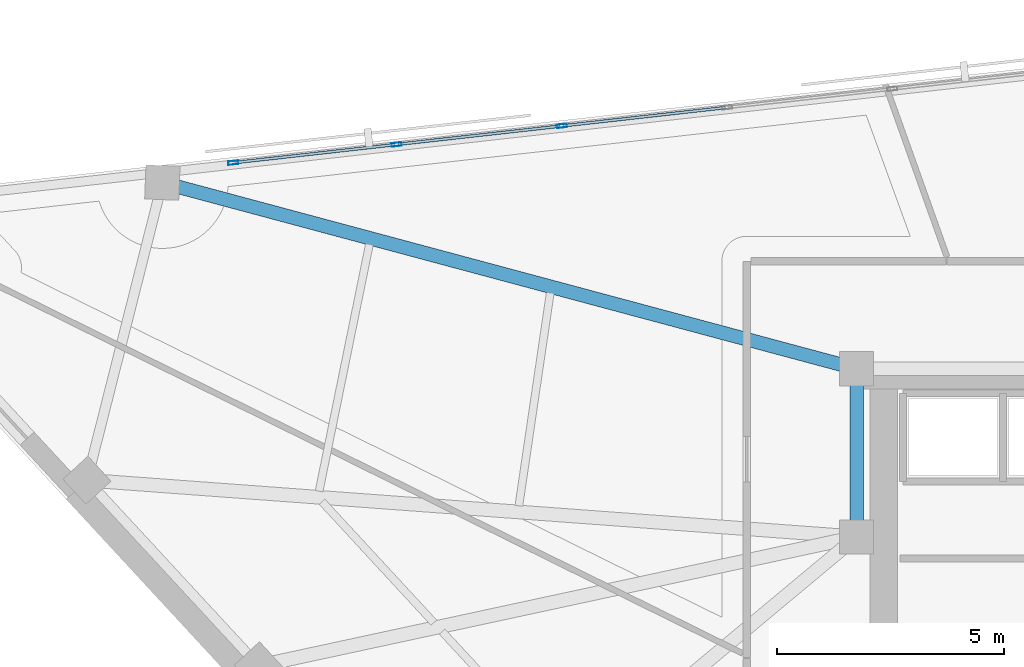
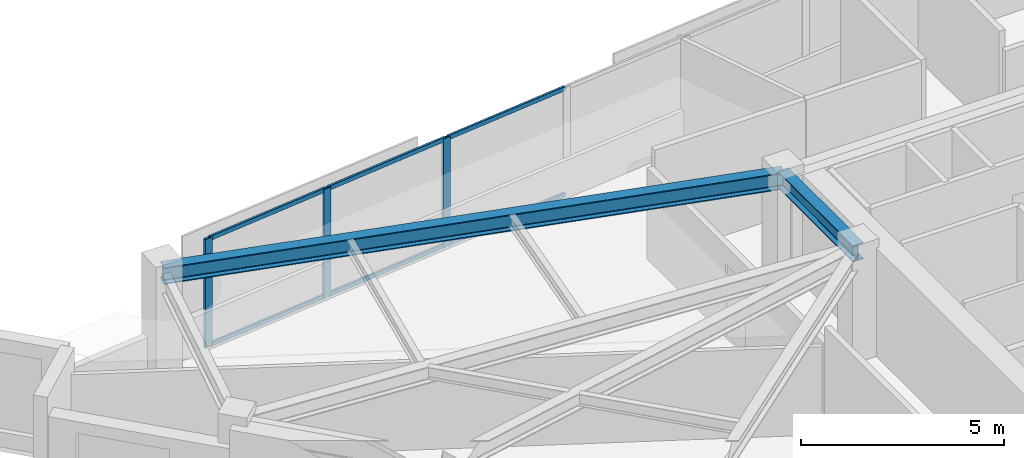
# One storey, part 2 of 12: 9 members, 2 beams, 1 element without a shape of its own.
"""IFC4 building model written with IfcOpenShell, lengths in metres."""

import ifcopenshell
import ifcopenshell.guid

model = None  # the IFC model being written
_history = None  # IfcOwnerHistory: only IFC2X3 demands one
_inside = {}  # id of a spatial element -> (the spatial element, [elements in it])
_under = {}  # id of a project, library or spatial element -> (it, [spatial elements below it])
_declared = {}  # id of a project -> (the project, [libraries it declares])
_typed = {}  # id of a type object -> (the type object, [elements of that type])
_made_of = {}  # id of a material, layer set ... -> (it, [elements and type objects made of it])


def new_model(schema):
    """Start an empty IFC model of exactly this schema.

    Asked for "IFC4X3", IfcOpenShell would pick the latest addendum, in which some entities
    have other attributes; the version numbers below select the first issue.
    IFC2X3 requires an IfcOwnerHistory on every rooted entity: one is made here for all.
    """
    global model, _history
    if schema == "IFC4X3":
        model = ifcopenshell.file(schema_version=(4, 3, 0, 0))
    else:
        model = ifcopenshell.file(schema=schema)
    _inside.clear()
    _under.clear()
    _declared.clear()
    _typed.clear()
    _made_of.clear()
    _history = None
    if model.schema == "IFC2X3":
        org = make("IfcOrganization", Name="unknown")
        user = make(
            "IfcPersonAndOrganization",
            ThePerson=make("IfcPerson", FamilyName="unknown"),
            TheOrganization=org,
        )
        app = make(
            "IfcApplication",
            ApplicationDeveloper=org,
            Version="unknown",
            ApplicationFullName="unknown",
            ApplicationIdentifier="unknown",
        )
        _history = make(
            "IfcOwnerHistory",
            OwningUser=user,
            OwningApplication=app,
            ChangeAction="ADDED",
            CreationDate=0,
        )
    return model


def make(cls, **values):
    """One entity of the class cls with the attributes given. An attribute that is None is left unset."""
    return model.create_entity(
        cls, **{name: value for name, value in values.items() if value is not None}
    )


def rooted(cls, **values):
    """An entity with a GlobalId (a new one), such as an element, a storey or a relation."""
    return make(cls, GlobalId=ifcopenshell.guid.new(), OwnerHistory=_history, **values)


def si_unit(unit_type, name, prefix=None):
    """IfcSIUnit, for example si_unit("LENGTHUNIT", "METRE", prefix="MILLI")."""
    return make("IfcSIUnit", UnitType=unit_type, Prefix=prefix, Name=name)


def assignment(units):
    """IfcUnitAssignment: the units of a project."""
    return None if units is None else make("IfcUnitAssignment", Units=units)


def point(xyz):
    """IfcCartesianPoint."""
    return None if xyz is None else make("IfcCartesianPoint", Coordinates=xyz)


def direction(xyz):
    """IfcDirection."""
    return None if xyz is None else make("IfcDirection", DirectionRatios=xyz)


def frame(location, z_axis=None, x_axis=None):
    """IfcAxis2Placement3D, a coordinate frame: its origin and axes. An axis left out is left unset."""
    return make(
        "IfcAxis2Placement3D",
        Location=point(location),
        Axis=direction(z_axis),
        RefDirection=direction(x_axis),
    )


def frame_2d(location, x_axis=None):
    """IfcAxis2Placement2D, a coordinate frame in the plane: its origin and x axis."""
    return make(
        "IfcAxis2Placement2D", Location=point(location), RefDirection=direction(x_axis)
    )


def origin():
    """The frame at (0, 0, 0) with its axes left unset."""
    return frame((0.0, 0.0, 0.0))


def origin_2d():
    """The frame at (0, 0) in the plane with its x axis left unset."""
    return frame_2d((0.0, 0.0))


def place(relative_to, where):
    """IfcLocalPlacement: puts the frame where relative to a parent placement (None: the world)."""
    return make(
        "IfcLocalPlacement", PlacementRelTo=relative_to, RelativePlacement=where
    )


def context(
    kind, dimensions, precision=None, world=None, true_north=None, identifier=None
):
    """IfcGeometricRepresentationContext, for example the 3D "Model" context."""
    return make(
        "IfcGeometricRepresentationContext",
        ContextIdentifier=identifier,
        ContextType=kind,
        CoordinateSpaceDimension=dimensions,
        Precision=precision,
        WorldCoordinateSystem=world,
        TrueNorth=true_north,
    )


def subcontext(parent, identifier, kind, view, scale=None):
    """IfcGeometricRepresentationSubContext, for example "Body" below "Model"."""
    return make(
        "IfcGeometricRepresentationSubContext",
        ContextIdentifier=identifier,
        ContextType=kind,
        ParentContext=parent,
        TargetScale=scale,
        TargetView=view,
    )


def project(units=None, contexts=None):
    """IfcProject with its units and contexts."""
    return rooted(
        "IfcProject",
        Name="project",
        RepresentationContexts=contexts,
        UnitsInContext=assignment(units),
    )


def spatial(cls, under=None, at=None, **own):
    """A site, building, storey or space (cls), placed at a placement, below another one or the project."""
    s = rooted(cls, ObjectPlacement=at, **own)
    if under is not None:
        _under.setdefault(under.id(), (under, []))[1].append(s)
    return s


def profile(cls, at=None, kind="AREA", **sizes):
    """A parametric profile (cls). Its sizes go by their IFC names, for example OverallWidth=200.0."""
    return make(cls, ProfileType=kind, Position=at, **sizes)


def hollow_rectangle(**sizes):
    """IfcRectangleHollowProfileDef."""
    return profile("IfcRectangleHollowProfileDef", **sizes)


def i_section(**sizes):
    """IfcIShapeProfileDef."""
    return profile("IfcIShapeProfileDef", **sizes)


def extrude(swept, where, along, depth):
    """IfcExtrudedAreaSolid: the profile swept, set in the frame where, extruded along a direction by depth."""
    return make(
        "IfcExtrudedAreaSolid",
        SweptArea=swept,
        Position=where,
        ExtrudedDirection=direction(along),
        Depth=depth,
    )


def shape(context_of_items, identifier, shape_type, items):
    """IfcShapeRepresentation: the items that make up one representation, for example the "Body"."""
    return make(
        "IfcShapeRepresentation",
        ContextOfItems=context_of_items,
        RepresentationIdentifier=identifier,
        RepresentationType=shape_type,
        Items=items,
    )


def material(Name=None, Category=None):
    """IfcMaterial."""
    return make("IfcMaterial", Name=Name, Category=Category)


def material_profile(
    of_material, cross_section, Name=None, Category=None, Priority=None
):
    """IfcMaterialProfile: a cross section and its material."""
    return make(
        "IfcMaterialProfile",
        Name=Name,
        Material=of_material,
        Profile=cross_section,
        Priority=Priority,
        Category=Category,
    )


def profile_set(profiles, Name=None, composite=None):
    """IfcMaterialProfileSet."""
    return make(
        "IfcMaterialProfileSet",
        Name=Name,
        MaterialProfiles=profiles,
        CompositeProfile=composite,
    )


def made_of(thing, what):
    """Note that an element or type object is made of a material, layer set ...; save() writes the relation."""
    if what is not None:
        _made_of.setdefault(what.id(), (what, []))[1].append(thing)
    return thing


def type_object(cls, material=None, **own):
    """A type object (cls), such as IfcWallType, which elements share."""
    return made_of(rooted(cls, **own), material)


def element(
    cls,
    number,
    at=None,
    inside=None,
    cuts=None,
    type_object=None,
    material=None,
    context=None,
    identifier="Body",
    shape_type=None,
    held_by="IfcProductDefinitionShape",
    body=None,
    shapes=None,
    **own,
):
    """One element of the class cls, such as IfcWall. Its Tag is "e" and its number.

    at: its placement. inside: the storey or other place that contains it. cuts: it is an
    opening in that element (IfcRelVoidsElement). A single representation is given by context,
    identifier, shape_type and body (its items); several are given by shapes. held_by: the class
    of the entity that holds the representations. save() writes the other relations.
    """
    e = rooted(cls, Tag="e%d" % number, ObjectPlacement=at, **own)
    if body is not None:
        shapes = [shape(context, identifier, shape_type, body)]
    if shapes is not None:
        e.Representation = make(held_by, Representations=shapes)
    if inside is not None:
        _inside.setdefault(inside.id(), (inside, []))[1].append(e)
    if cuts is not None:
        rooted(
            "IfcRelVoidsElement", RelatingBuildingElement=cuts, RelatedOpeningElement=e
        )
    if type_object is not None:
        _typed.setdefault(type_object.id(), (type_object, []))[1].append(e)
    return made_of(e, material)


def aggregate(whole, parts):
    """IfcRelAggregates: a whole, such as a stair, and the parts it consists of."""
    return rooted("IfcRelAggregates", RelatingObject=whole, RelatedObjects=parts)


def save(model, path):
    """Write the relations noted so far, then the file.

    IfcRelAggregates (storeys below a building ...), IfcRelContainedInSpatialStructure (elements
    in a storey), IfcRelDefinesByType, IfcRelAssociatesMaterial and IfcRelDeclares: one each for
    every whole, place, type object, material and project.
    """
    for whole, parts in _under.values():
        aggregate(whole, parts)
    for where, things in _inside.values():
        rooted(
            "IfcRelContainedInSpatialStructure",
            RelatedElements=things,
            RelatingStructure=where,
        )
    for kind, things in _typed.values():
        rooted("IfcRelDefinesByType", RelatedObjects=things, RelatingType=kind)
    for what, things in _made_of.values():
        rooted("IfcRelAssociatesMaterial", RelatedObjects=things, RelatingMaterial=what)
    for by, libraries in _declared.values():
        rooted("IfcRelDeclares", RelatingContext=by, RelatedDefinitions=libraries)
    model.write(path)


model = new_model("IFC4")

# Units and contexts
model_context = context("Model", 3, precision=1e-05, world=origin(), true_north=direction((0.0, 1.0)))
body_context = subcontext(model_context, "Body", "Model", "MODEL_VIEW")
ifc_project = project(units=[si_unit("LENGTHUNIT", "METRE"), si_unit("AREAUNIT", "SQUARE_METRE"), si_unit("VOLUMEUNIT", "CUBIC_METRE"), si_unit("PLANEANGLEUNIT", "RADIAN"), si_unit("MASSUNIT", "GRAM", prefix="KILO")], contexts=[model_context])

# Site, building, storey
site_placement = place(None, origin())
site = spatial("IfcSite", under=ifc_project, at=site_placement, CompositionType="ELEMENT")
building_placement = place(site_placement, origin())
building = spatial("IfcBuilding", under=site, at=building_placement, Name="Narakoshi Arena Tower", CompositionType="ELEMENT")
storey_placement = place(building_placement, frame((0.0, 0.0, 267.780029296875)))
storey = spatial("IfcBuildingStorey", under=building, at=storey_placement, Name="L73", CompositionType="ELEMENT", Elevation=267.780029296875)

# Beams
ifc_material_1 = material(Name="Structural steel S355J2", Category="steel")
ifc_material_profile_1 = material_profile(ifc_material_1, i_section(OverallWidth=0.300048828125, OverallDepth=0.5, WebThickness=0.014404296875, FlangeThickness=0.028076171875, FilletRadius=0.027099609375, at=origin_2d()), Name="HE500B")
ifc_profile_set_1 = profile_set([ifc_material_profile_1], Name="Structural steel S355J2")
beam_type = type_object("IfcBeamType", Name="BM-PRI-500", PredefinedType="BEAM", material=ifc_profile_set_1)
beam_1_placement = place(storey_placement, frame((72.0, 56.5, 3.010009765625), z_axis=(-0.965877018817, 0.259001128418, 0.0), x_axis=(-0.259001128418, -0.965877018817, 0.0)))
element("IfcBeam", 1, at=beam_1_placement, inside=storey, type_object=beam_type, Name="L73 Radial Primary Floor Girder 08", PredefinedType="BEAM", context=body_context, shape_type="SweptSolid", body=[
    extrude(i_section(OverallWidth=0.300048828125, OverallDepth=0.5, WebThickness=0.014404296875, FlangeThickness=0.028076171875, FilletRadius=0.027099609375, at=origin_2d()), origin(), (0.0, 0.0, 1.0), 15.822998046875),
])
beam_2_placement = place(storey_placement, frame((72.0, 52.800048828125, 3.010009765625), z_axis=(0.0, 1.0, 0.0), x_axis=(-1.0, 0.0, 0.0)))
element("IfcBeam", 2, at=beam_2_placement, inside=storey, type_object=beam_type, Name="L73 Core Perimeter Frame Beam CC4-CC5", PredefinedType="BEAM", context=body_context, shape_type="SweptSolid", body=[
    extrude(i_section(OverallWidth=0.300048828125, OverallDepth=0.5, WebThickness=0.014404296875, FlangeThickness=0.028076171875, FilletRadius=0.027099609375, at=origin_2d()), origin(), (0.0, 0.0, 1.0), 3.699951171875),
])

# Curtain wall, members
ifc_material_2 = material(Name="Anodised bronze aluminium 6063-T6", Category="aluminium")
curtain_wall_type = type_object("IfcCurtainWallType", Name="CW-HYP-HIGH", PredefinedType="NOTDEFINED", material=ifc_material_2)
curtain_wall_placement = place(storey_placement, origin())
curtain_wall = element("IfcCurtainWall", 3, at=curtain_wall_placement, inside=storey, type_object=curtain_wall_type, Name="L73 Folded Hypotenuse Curtain Wall 2-1", PredefinedType="NOTDEFINED")
ifc_material_profile_2 = material_profile(ifc_material_2, hollow_rectangle(XDim=0.080078125, YDim=0.219970703125, WallThickness=0.0048828125, OuterFilletRadius=0.006103515625, at=origin_2d()), Name="MUL220x80x5")
ifc_profile_set_2 = profile_set([ifc_material_profile_2], Name="Anodised bronze aluminium 6063-T6")
member_type_1 = type_object("IfcMemberType", Name="MEM-MUL-220", PredefinedType="MULLION", material=ifc_profile_set_2)
member_1_placement = place(storey_placement, frame((65.51123046875, 61.845458984375, 0.0), z_axis=(0.0, 0.0, 1.0), x_axis=(0.111396496086, -0.9937760415, 0.0)))
member_1 = element("IfcMember", 4, at=member_1_placement, type_object=member_type_1, Name="CW-03 mullion 5", PredefinedType="MULLION", context=body_context, shape_type="SweptSolid", body=[
    extrude(hollow_rectangle(XDim=0.080078125, YDim=0.219970703125, WallThickness=0.0048828125, OuterFilletRadius=0.006103515625, at=origin_2d()), origin(), (0.0, 0.0, 1.0), 3.260009765625),
])
member_2_placement = place(storey_placement, frame((61.873779296875, 61.437744140625, 0.0), z_axis=(0.0, 0.0, 1.0), x_axis=(0.111396496086, -0.9937760415, 0.0)))
member_2 = element("IfcMember", 5, at=member_2_placement, type_object=member_type_1, Name="CW-03 mullion 6", PredefinedType="MULLION", context=body_context, shape_type="SweptSolid", body=[
    extrude(hollow_rectangle(XDim=0.080078125, YDim=0.219970703125, WallThickness=0.0048828125, OuterFilletRadius=0.006103515625, at=origin_2d()), origin(), (0.0, 0.0, 1.0), 3.260009765625),
])
member_3_placement = place(storey_placement, frame((58.27587890625, 61.034423828125, 0.0), z_axis=(0.0, 0.0, 1.0), x_axis=(0.111396496086, -0.9937760415, 0.0)))
member_3 = element("IfcMember", 6, at=member_3_placement, type_object=member_type_1, Name="CW-03 mullion 7", PredefinedType="MULLION", context=body_context, shape_type="SweptSolid", body=[
    extrude(hollow_rectangle(XDim=0.080078125, YDim=0.219970703125, WallThickness=0.0048828125, OuterFilletRadius=0.006103515625, at=origin_2d()), origin(), (0.0, 0.0, 1.0), 3.260009765625),
])
ifc_material_profile_3 = material_profile(ifc_material_2, hollow_rectangle(XDim=0.06494140625, YDim=0.1298828125, WallThickness=0.00390625, OuterFilletRadius=0.0048828125, at=origin_2d()), Name="TRN130x65x4")
ifc_profile_set_3 = profile_set([ifc_material_profile_3], Name="Anodised bronze aluminium 6063-T6")
member_type_2 = type_object("IfcMemberType", Name="MEM-TRN-130", PredefinedType="USERDEFINED", material=ifc_profile_set_3)
member_4_placement = place(storey_placement, frame((69.109130859375, 62.248779296875, 0.032470703125), z_axis=(-0.99377347748, -0.111419367518, 0.0), x_axis=(0.111419367518, -0.99377347748, 0.0)))
member_4 = element("IfcMember", 7, at=member_4_placement, type_object=member_type_2, Name="CW-03 transom 4.1", ObjectType="TRANSOM", PredefinedType="USERDEFINED", context=body_context, shape_type="SweptSolid", body=[
    extrude(hollow_rectangle(XDim=0.06494140625, YDim=0.1298828125, WallThickness=0.00390625, OuterFilletRadius=0.0048828125, at=origin_2d()), origin(), (0.0, 0.0, 1.0), 3.580322265625),
])
member_5_placement = place(storey_placement, frame((69.109130859375, 62.248779296875, 3.2275390625), z_axis=(-0.99377347748, -0.111419367518, 0.0), x_axis=(0.111419367518, -0.99377347748, 0.0)))
member_5 = element("IfcMember", 8, at=member_5_placement, type_object=member_type_2, Name="CW-03 transom 4.2", ObjectType="TRANSOM", PredefinedType="USERDEFINED", context=body_context, shape_type="SweptSolid", body=[
    extrude(hollow_rectangle(XDim=0.06494140625, YDim=0.1298828125, WallThickness=0.00390625, OuterFilletRadius=0.0048828125, at=origin_2d()), origin(), (0.0, 0.0, 1.0), 3.580322265625),
])
member_6_placement = place(storey_placement, frame((65.471435546875, 61.841064453125, 0.032470703125), z_axis=(-0.99377347748, -0.111419367518, 0.0), x_axis=(0.111419367518, -0.99377347748, 0.0)))
member_6 = element("IfcMember", 9, at=member_6_placement, type_object=member_type_2, Name="CW-03 transom 5.1", ObjectType="TRANSOM", PredefinedType="USERDEFINED", context=body_context, shape_type="SweptSolid", body=[
    extrude(hollow_rectangle(XDim=0.06494140625, YDim=0.1298828125, WallThickness=0.00390625, OuterFilletRadius=0.0048828125, at=origin_2d()), origin(), (0.0, 0.0, 1.0), 3.580322265625),
])
member_7_placement = place(storey_placement, frame((65.471435546875, 61.841064453125, 3.2275390625), z_axis=(-0.99377347748, -0.111419367518, 0.0), x_axis=(0.111419367518, -0.99377347748, 0.0)))
member_7 = element("IfcMember", 10, at=member_7_placement, type_object=member_type_2, Name="CW-03 transom 5.2", ObjectType="TRANSOM", PredefinedType="USERDEFINED", context=body_context, shape_type="SweptSolid", body=[
    extrude(hollow_rectangle(XDim=0.06494140625, YDim=0.1298828125, WallThickness=0.00390625, OuterFilletRadius=0.0048828125, at=origin_2d()), origin(), (0.0, 0.0, 1.0), 3.580322265625),
])
member_8_placement = place(storey_placement, frame((61.833984375, 61.433349609375, 0.032470703125), z_axis=(-0.9937713764, -0.11143810591, 0.0), x_axis=(0.11143810591, -0.9937713764, 0.0)))
member_8 = element("IfcMember", 11, at=member_8_placement, type_object=member_type_2, Name="CW-03 transom 6.1", ObjectType="TRANSOM", PredefinedType="USERDEFINED", context=body_context, shape_type="SweptSolid", body=[
    extrude(hollow_rectangle(XDim=0.06494140625, YDim=0.1298828125, WallThickness=0.00390625, OuterFilletRadius=0.0048828125, at=origin_2d()), origin(), (0.0, 0.0, 1.0), 3.540283203125),
])
member_9_placement = place(storey_placement, frame((61.833984375, 61.433349609375, 3.2275390625), z_axis=(-0.9937713764, -0.11143810591, 0.0), x_axis=(0.11143810591, -0.9937713764, 0.0)))
member_9 = element("IfcMember", 12, at=member_9_placement, type_object=member_type_2, Name="CW-03 transom 6.2", ObjectType="TRANSOM", PredefinedType="USERDEFINED", context=body_context, shape_type="SweptSolid", body=[
    extrude(hollow_rectangle(XDim=0.06494140625, YDim=0.1298828125, WallThickness=0.00390625, OuterFilletRadius=0.0048828125, at=origin_2d()), origin(), (0.0, 0.0, 1.0), 3.540283203125),
])
aggregate(curtain_wall, [member_1, member_2, member_3, member_4, member_5, member_6, member_7, member_8, member_9])

save(model, "model.ifc")
